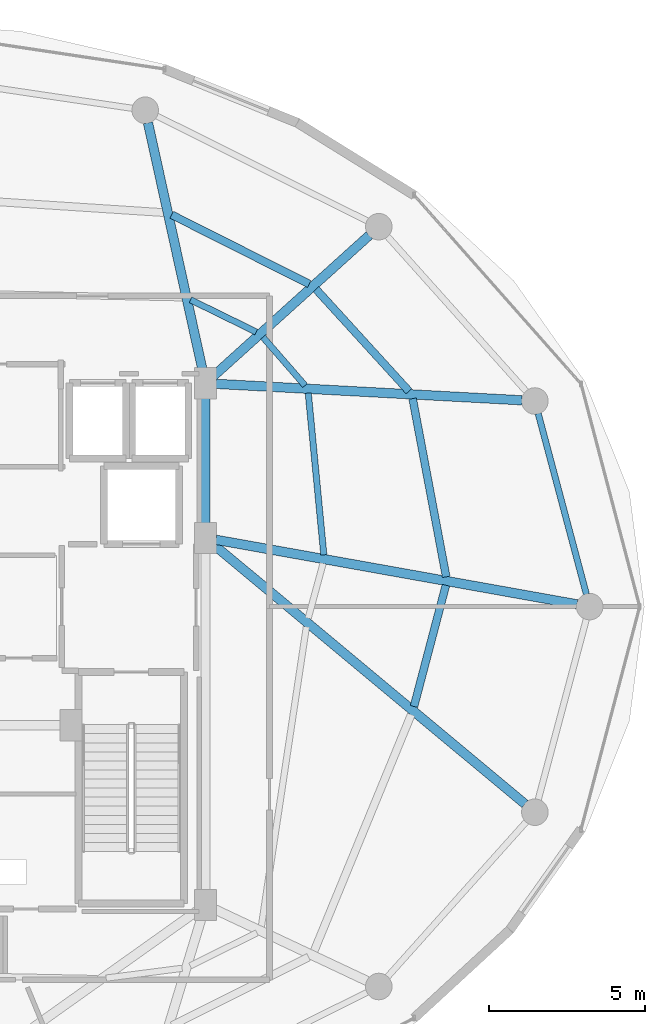
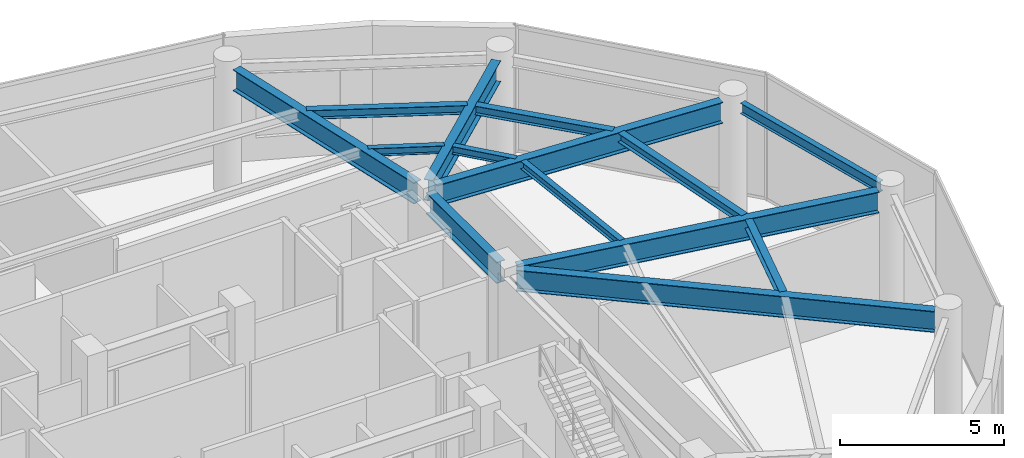
# One storey, part 14 of 24: 14 beams.
"""IFC4 building model written with IfcOpenShell, lengths in metres."""

from ifc_helpers import new_model, si_unit, direction, frame, origin, origin_2d, place, context, subcontext, project, spatial, i_section, extrude, material, material_profile, profile_set, type_object, element, save


model = new_model("IFC4")

# Units and contexts
model_context = context("Model", 3, precision=1e-05, world=origin(), true_north=direction((0.0, 1.0)))
body_context = subcontext(model_context, "Body", "Model", "MODEL_VIEW")
ifc_project = project(units=[si_unit("LENGTHUNIT", "METRE"), si_unit("AREAUNIT", "SQUARE_METRE"), si_unit("VOLUMEUNIT", "CUBIC_METRE"), si_unit("PLANEANGLEUNIT", "RADIAN"), si_unit("MASSUNIT", "GRAM", prefix="KILO")], contexts=[model_context])

# Site, building, storey
site_placement = place(None, origin())
site = spatial("IfcSite", under=ifc_project, at=site_placement, CompositionType="ELEMENT")
building_placement = place(site_placement, origin())
building = spatial("IfcBuilding", under=site, at=building_placement, Name="Vorneva Point Tower", CompositionType="ELEMENT")
storey_placement = place(building_placement, frame((0.0, 0.0, 285.39990234375)))
storey = spatial("IfcBuildingStorey", under=building, at=storey_placement, Name="L77", CompositionType="ELEMENT", Elevation=285.39990234375)

# Beams
ifc_material = material(Name="Steel S355", Category="steel")
ifc_material_profile_1 = material_profile(ifc_material, i_section(OverallWidth=0.300048828125, OverallDepth=0.7880859375, WebThickness=0.014404296875, FlangeThickness=0.02197265625, at=origin_2d()), Name="80Sh1")
ifc_profile_set_1 = profile_set([ifc_material_profile_1], Name="Steel S355")
beam_type_1 = type_object("IfcBeamType", Name="BM-GRD-80Sh1", PredefinedType="USERDEFINED", material=ifc_profile_set_1)
beam_1_placement = place(storey_placement, frame((60.6435546875, 26.07275390625, 4.296142578125), z_axis=(-0.9843788355, 0.17606336422, 0.0), x_axis=(-0.17606336422, -0.9843788355, 0.0)))
element("IfcBeam", 1, at=beam_1_placement, inside=storey, type_object=beam_type_1, Name="L77 Radial Primary Girder 01", ObjectType="GIRDER", PredefinedType="USERDEFINED", context=body_context, shape_type="SweptSolid", body=[
    extrude(i_section(OverallWidth=0.300048828125, OverallDepth=0.7880859375, WebThickness=0.014404296875, FlangeThickness=0.02197265625, at=origin_2d()), origin(), (0.0, 0.0, 1.0), 11.7421875),
])
beam_2_placement = place(storey_placement, frame((58.883056640625, 32.6044921875, 4.296142578125), z_axis=(-0.998554756376, 0.05374382308, 0.0), x_axis=(-0.05374382308, -0.998554756376, 0.0)))
element("IfcBeam", 2, at=beam_2_placement, inside=storey, type_object=beam_type_1, Name="L77 Radial Primary Girder 02", ObjectType="GIRDER", PredefinedType="USERDEFINED", context=body_context, shape_type="SweptSolid", body=[
    extrude(i_section(OverallWidth=0.300048828125, OverallDepth=0.7880859375, WebThickness=0.014404296875, FlangeThickness=0.02197265625, at=origin_2d()), origin(), (0.0, 0.0, 1.0), 9.8076171875),
])
beam_3_placement = place(storey_placement, frame((53.9921875, 37.885498046875, 4.296142578125), z_axis=(-0.7420671051, -0.670325601128, 0.0), x_axis=(0.670325601128, -0.7420671051, 0.0)))
element("IfcBeam", 3, at=beam_3_placement, inside=storey, type_object=beam_type_1, Name="L77 Radial Primary Girder 03", ObjectType="GIRDER", PredefinedType="USERDEFINED", context=body_context, shape_type="SweptSolid", body=[
    extrude(i_section(OverallWidth=0.300048828125, OverallDepth=0.7880859375, WebThickness=0.014404296875, FlangeThickness=0.02197265625, at=origin_2d()), origin(), (0.0, 0.0, 1.0), 6.724365234375),
])
beam_4_placement = place(storey_placement, frame((46.909912109375, 41.4873046875, 4.296142578125), z_axis=(0.215520742957, -0.976499262342, 0.0), x_axis=(0.976499262342, 0.215520742957, 0.0)))
element("IfcBeam", 4, at=beam_4_placement, inside=storey, type_object=beam_type_1, Name="L77 Radial Primary Girder 04", ObjectType="GIRDER", PredefinedType="USERDEFINED", context=body_context, shape_type="SweptSolid", body=[
    extrude(i_section(OverallWidth=0.300048828125, OverallDepth=0.7880859375, WebThickness=0.014404296875, FlangeThickness=0.02197265625, at=origin_2d()), origin(), (0.0, 0.0, 1.0), 8.197998046875),
])
beam_5_placement = place(storey_placement, frame((58.97802734375, 19.68212890625, 4.296142578125), z_axis=(-0.768424898021, 0.639939978515, 0.0), x_axis=(-0.639939978515, -0.768424898021, 0.0)))
element("IfcBeam", 5, at=beam_5_placement, inside=storey, type_object=beam_type_1, Name="L77 Radial Primary Girder 16", ObjectType="GIRDER", PredefinedType="USERDEFINED", context=body_context, shape_type="SweptSolid", body=[
    extrude(i_section(OverallWidth=0.300048828125, OverallDepth=0.7880859375, WebThickness=0.014404296875, FlangeThickness=0.02197265625, at=origin_2d()), origin(), (0.0, 0.0, 1.0), 12.970458984375),
])
beam_6_placement = place(storey_placement, frame((48.75, 28.52001953125, 4.296142578125), z_axis=(0.0, 1.0, 0.0), x_axis=(-1.0, 0.0, 0.0)))
element("IfcBeam", 6, at=beam_6_placement, inside=storey, type_object=beam_type_1, Name="L77 Core Tie Girder CT4", ObjectType="GIRDER", PredefinedType="USERDEFINED", context=body_context, shape_type="SweptSolid", body=[
    extrude(i_section(OverallWidth=0.300048828125, OverallDepth=0.7880859375, WebThickness=0.014404296875, FlangeThickness=0.02197265625, at=origin_2d()), origin(), (0.0, 0.0, 1.0), 4.31005859375),
])
ifc_material_profile_2 = material_profile(ifc_material, i_section(OverallWidth=0.199951171875, OverallDepth=0.291015625, WebThickness=0.008056640625, FlangeThickness=0.010986328125, at=origin_2d()), Name="30Sh1")
ifc_profile_set_2 = profile_set([ifc_material_profile_2], Name="Steel S355")
beam_type_2 = type_object("IfcBeamType", Name="BM-SEC-30Sh1", PredefinedType="BEAM", material=ifc_profile_set_2)
beam_7_placement = place(storey_placement, frame((52.5390625, 27.6572265625, 4.544677734375), z_axis=(-0.095772312645, 0.995403267089, 0.0), x_axis=(-0.995403267089, -0.095772312645, 0.0)))
element("IfcBeam", 7, at=beam_7_placement, inside=storey, type_object=beam_type_2, Name="L77 Secondary Floor Beam 2.01", PredefinedType="BEAM", context=body_context, shape_type="SweptSolid", body=[
    extrude(i_section(OverallWidth=0.199951171875, OverallDepth=0.291015625, WebThickness=0.008056640625, FlangeThickness=0.010986328125, at=origin_2d()), origin(), (0.0, 0.0, 1.0), 5.202880859375),
])
beam_8_placement = place(storey_placement, frame((51.93701171875, 33.07763671875, 4.544677734375), z_axis=(-0.656396623312, 0.754415981342, 0.0), x_axis=(-0.754415981342, -0.656396623312, 0.0)))
element("IfcBeam", 8, at=beam_8_placement, inside=storey, type_object=beam_type_2, Name="L77 Secondary Floor Beam 2.02", PredefinedType="BEAM", context=body_context, shape_type="SweptSolid", body=[
    extrude(i_section(OverallWidth=0.199951171875, OverallDepth=0.291015625, WebThickness=0.008056640625, FlangeThickness=0.010986328125, at=origin_2d()), origin(), (0.0, 0.0, 1.0), 2.052490234375),
])
beam_9_placement = place(storey_placement, frame((50.37548828125, 34.791015625, 4.544677734375), z_axis=(-0.897898931546, 0.440201668249, 0.0), x_axis=(-0.440201668249, -0.897898931546, 0.0)))
element("IfcBeam", 9, at=beam_9_placement, inside=storey, type_object=beam_type_2, Name="L77 Secondary Floor Beam 2.03", PredefinedType="BEAM", context=body_context, shape_type="SweptSolid", body=[
    extrude(i_section(OverallWidth=0.199951171875, OverallDepth=0.291015625, WebThickness=0.008056640625, FlangeThickness=0.010986328125, at=origin_2d()), origin(), (0.0, 0.0, 1.0), 2.34423828125),
])
ifc_material_profile_3 = material_profile(ifc_material, i_section(OverallWidth=0.2490234375, OverallDepth=0.333984375, WebThickness=0.008056640625, FlangeThickness=0.010986328125, at=origin_2d()), Name="35Sh1")
ifc_profile_set_3 = profile_set([ifc_material_profile_3], Name="Steel S355")
beam_type_3 = type_object("IfcBeamType", Name="BM-SEC-35Sh1", PredefinedType="BEAM", material=ifc_profile_set_3)
beam_10_placement = place(storey_placement, frame((56.456787109375, 26.95263671875, 4.523193359375), z_axis=(-0.184968874114, 0.982744379587, 0.0), x_axis=(-0.982744379587, -0.184968874114, 0.0)))
element("IfcBeam", 10, at=beam_10_placement, inside=storey, type_object=beam_type_3, Name="L77 Secondary Floor Beam 1.01", PredefinedType="BEAM", context=body_context, shape_type="SweptSolid", body=[
    extrude(i_section(OverallWidth=0.2490234375, OverallDepth=0.333984375, WebThickness=0.008056640625, FlangeThickness=0.010986328125, at=origin_2d()), origin(), (0.0, 0.0, 1.0), 5.80615234375),
])
beam_11_placement = place(storey_placement, frame((55.264404296875, 32.896240234375, 4.523193359375), z_axis=(-0.673657092993, 0.739044058944, 0.0), x_axis=(-0.739044058944, -0.673657092993, 0.0)))
element("IfcBeam", 11, at=beam_11_placement, inside=storey, type_object=beam_type_3, Name="L77 Secondary Floor Beam 1.02", PredefinedType="BEAM", context=body_context, shape_type="SweptSolid", body=[
    extrude(i_section(OverallWidth=0.2490234375, OverallDepth=0.333984375, WebThickness=0.008056640625, FlangeThickness=0.010986328125, at=origin_2d()), origin(), (0.0, 0.0, 1.0), 4.4169921875),
])
beam_12_placement = place(storey_placement, frame((52.07275390625, 36.32470703125, 4.523193359375), z_axis=(-0.893046523207, 0.449964340129, 0.0), x_axis=(-0.449964340129, -0.893046523207, 0.0)))
element("IfcBeam", 12, at=beam_12_placement, inside=storey, type_object=beam_type_3, Name="L77 Secondary Floor Beam 1.03", PredefinedType="BEAM", context=body_context, shape_type="SweptSolid", body=[
    extrude(i_section(OverallWidth=0.2490234375, OverallDepth=0.333984375, WebThickness=0.008056640625, FlangeThickness=0.010986328125, at=origin_2d()), origin(), (0.0, 0.0, 1.0), 4.930908203125),
])
beam_13_placement = place(storey_placement, frame((55.425048828125, 22.8037109375, 4.523193359375), z_axis=(0.254771835219, 0.967001195438, 0.0), x_axis=(-0.967001195438, 0.254771835219, 0.0)))
element("IfcBeam", 13, at=beam_13_placement, inside=storey, type_object=beam_type_3, Name="L77 Secondary Floor Beam 1.16", PredefinedType="BEAM", context=body_context, shape_type="SweptSolid", body=[
    extrude(i_section(OverallWidth=0.2490234375, OverallDepth=0.333984375, WebThickness=0.008056640625, FlangeThickness=0.010986328125, at=origin_2d()), origin(), (0.0, 0.0, 1.0), 4.01220703125),
])
ifc_material_profile_4 = material_profile(ifc_material, i_section(OverallWidth=0.198974609375, OverallDepth=0.39599609375, WebThickness=0.007080078125, FlangeThickness=0.010986328125, at=origin_2d()), Name="40B1")
ifc_profile_set_4 = profile_set([ifc_material_profile_4], Name="Steel S355")
beam_type_4 = type_object("IfcBeamType", Name="BM-SPN-40B1", PredefinedType="SPANDREL", material=ifc_profile_set_4)
beam_14_placement = place(storey_placement, frame((60.9443359375, 26.396240234375, 4.4921875), z_axis=(-0.257586570866, 0.966255224312, 0.0), x_axis=(-0.966255224312, -0.257586570866, 0.0)))
element("IfcBeam", 14, at=beam_14_placement, inside=storey, type_object=beam_type_4, Name="L77 Perimeter Spandrel Ring Beam 01", PredefinedType="SPANDREL", context=body_context, shape_type="SweptSolid", body=[
    extrude(i_section(OverallWidth=0.198974609375, OverallDepth=0.39599609375, WebThickness=0.007080078125, FlangeThickness=0.010986328125, at=origin_2d()), origin(), (0.0, 0.0, 1.0), 5.991943359375),
])

save(model, "model.ifc")
